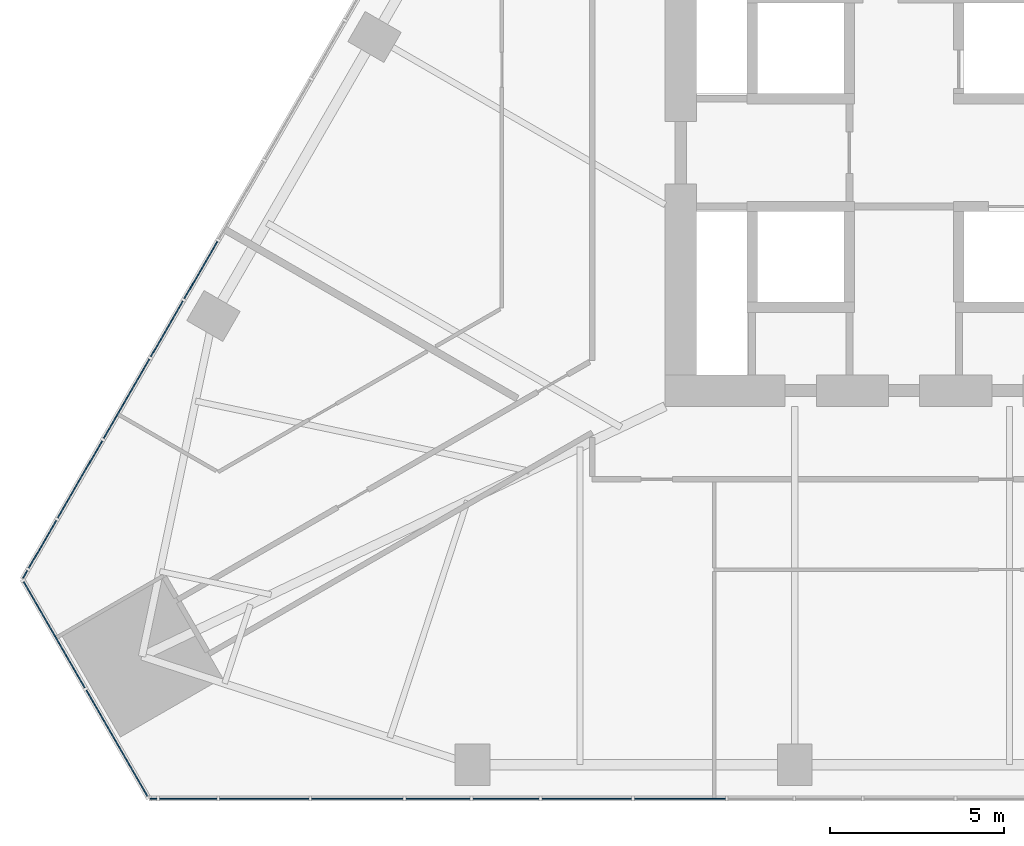
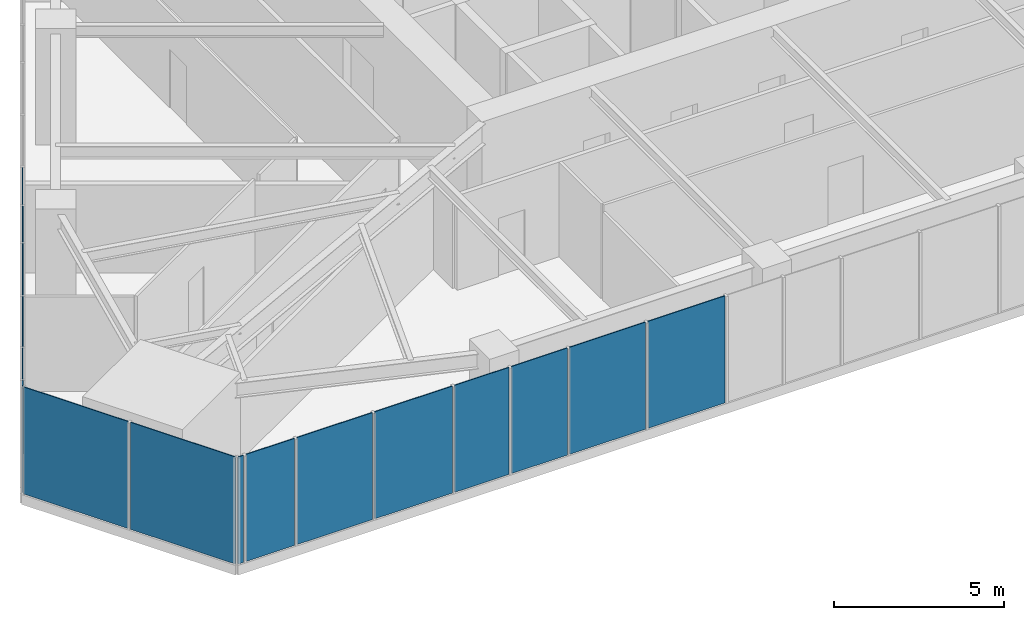
# One storey, part 11 of 22: 16 plates, 3 elements without a shape of their own.
"""IFC4 building model written with IfcOpenShell, lengths in metres."""

from ifc_helpers import new_model, si_unit, direction, frame, origin, place, context, subcontext, project, spatial, polyline, outline, extrude, material, layer, layer_set, type_object, element, aggregate, save


model = new_model("IFC4")

# Units and contexts
model_context = context("Model", 3, precision=1e-05, world=origin(), true_north=direction((0.0, 1.0)))
body_context = subcontext(model_context, "Body", "Model", "MODEL_VIEW")
ifc_project = project(units=[si_unit("LENGTHUNIT", "METRE"), si_unit("AREAUNIT", "SQUARE_METRE"), si_unit("VOLUMEUNIT", "CUBIC_METRE"), si_unit("PLANEANGLEUNIT", "RADIAN"), si_unit("MASSUNIT", "GRAM", prefix="KILO")], contexts=[model_context])

# Site, building, storey
site_placement = place(None, origin())
site = spatial("IfcSite", under=ifc_project, at=site_placement, CompositionType="ELEMENT")
building_placement = place(site_placement, origin())
building = spatial("IfcBuilding", under=site, at=building_placement, Name="Firuza Gate Tower and Library", CompositionType="ELEMENT")
storey_placement = place(building_placement, frame((0.0, 0.0, 128.199951171875)))
storey = spatial("IfcBuildingStorey", under=building, at=storey_placement, Name="L29", CompositionType="ELEMENT", Elevation=128.199951171875)

# Curtain wall, plates
ifc_material_1 = material(Name="Aluminium 6063-T6", Category="aluminium")
ifc_layer_1 = layer(ifc_material_1, 0.14990234375)
ifc_layer_set_1 = layer_set([ifc_layer_1], Name="Corner curtain wall, chamfers")
curtain_wall_type_1 = type_object("IfcCurtainWallType", Name="Corner curtain wall, chamfers", PredefinedType="NOTDEFINED", material=ifc_layer_set_1)
placement = place(storey_placement, origin())
curtain_wall_1 = element("IfcCurtainWall", 1, at=placement, inside=storey, type_object=curtain_wall_type_1, Name="CW4 L29 SW corner", PredefinedType="NOTDEFINED")
ifc_material_2 = material(Name="Fritted glass", Category="glass")
ifc_layer_2 = layer(ifc_material_2, 0.030029296875)
ifc_layer_set_2 = layer_set([ifc_layer_2], Name="Fritted glass unit, corners")
plate_type_1 = type_object("IfcPlateType", Name="Fritted glass unit, corners", PredefinedType="CURTAIN_PANEL", material=ifc_layer_set_2)
plate_1_placement = place(storey_placement, frame((43.503662109375, 60.976318359375, 0.150146484375), z_axis=(-0.866046390552, -0.49996364809, 0.0), x_axis=(0.49996364809, -0.866046390552, 0.0)))
plate_1 = element("IfcPlate", 2, at=plate_1_placement, type_object=plate_type_1, Name="Glass unit", PredefinedType="CURTAIN_PANEL", context=body_context, shape_type="SweptSolid", body=[
    extrude(outline(polyline([(0.0, 0.0), (3.563247342942594, 0.0), (3.563247342942594, 3.849853515625), (0.0, 3.849853515625), (0.0, 0.0)])), origin(), (0.0, 0.0, -1.0), 0.030029296875),
])
plate_2_placement = place(storey_placement, frame((45.3251953125, 57.821044921875, 0.150146484375), z_axis=(-0.866016723041, -0.500015035186, 0.0), x_axis=(0.500015035186, -0.866016723041, 0.0)))
plate_2 = element("IfcPlate", 3, at=plate_2_placement, type_object=plate_type_1, Name="Glass unit", PredefinedType="CURTAIN_PANEL", context=body_context, shape_type="SweptSolid", body=[
    extrude(outline(polyline([(0.0, 0.0), (3.5633694106530625, 0.0), (3.5633694106530625, 3.849853515625), (0.0, 3.849853515625), (0.0, 0.0)])), origin(), (0.0, 0.0, -1.0), 0.030029296875),
])
aggregate(curtain_wall_1, [plate_1, plate_2])

ifc_material_3 = material(Name="Aluminium 6063-T6", Category="aluminium")
ifc_layer_3 = layer(ifc_material_3, 0.14990234375)
ifc_layer_set_3 = layer_set([ifc_layer_3], Name="Unitised curtain wall, offices")
curtain_wall_type_2 = type_object("IfcCurtainWallType", Name="Unitised curtain wall, offices", PredefinedType="NOTDEFINED", material=ifc_layer_set_3)
curtain_wall_2 = element("IfcCurtainWall", 4, at=placement, inside=storey, type_object=curtain_wall_type_2, Name="CW1 L29 S face", PredefinedType="NOTDEFINED")
ifc_material_4 = material(Name="Fritted glass", Category="glass")
ifc_layer_4 = layer(ifc_material_4, 0.030029296875)
ifc_layer_set_4 = layer_set([ifc_layer_4], Name="Fritted glass unit, offices")
plate_type_2 = type_object("IfcPlateType", Name="Fritted glass unit, offices", PredefinedType="CURTAIN_PANEL", material=ifc_layer_set_4)
plate_3_placement = place(storey_placement, frame((47.446044921875, 54.693115234375, 0.150146484375), z_axis=(0.0, -1.0, 0.0), x_axis=(1.0, 0.0, 0.0)))
plate_3 = element("IfcPlate", 5, at=plate_3_placement, type_object=plate_type_2, Name="Glass unit", PredefinedType="CURTAIN_PANEL", context=body_context, shape_type="SweptSolid", body=[
    extrude(outline(polyline([(0.0, 0.0), (1.653076171875, 0.0), (1.653076171875, 3.849853515625), (0.0, 3.849853515625), (0.0, 0.0)])), origin(), (0.0, 0.0, -1.0), 0.030029296875),
])
plate_4_placement = place(storey_placement, frame((54.539306640625, 54.693115234375, 0.150146484375), z_axis=(0.0, -1.0, 0.0), x_axis=(1.0, 0.0, 0.0)))
plate_4 = element("IfcPlate", 6, at=plate_4_placement, type_object=plate_type_2, Name="Glass unit", PredefinedType="CURTAIN_PANEL", context=body_context, shape_type="SweptSolid", body=[
    extrude(outline(polyline([(0.0, 0.0), (1.84716796875, 0.0), (1.84716796875, 3.849853515625), (0.0, 3.849853515625), (0.0, 0.0)])), origin(), (0.0, 0.0, -1.0), 0.030029296875),
])
plate_5_placement = place(storey_placement, frame((56.466552734375, 54.693115234375, 0.150146484375), z_axis=(0.0, -1.0, 0.0), x_axis=(1.0, 0.0, 0.0)))
plate_5 = element("IfcPlate", 7, at=plate_5_placement, type_object=plate_type_2, Name="Glass unit", PredefinedType="CURTAIN_PANEL", context=body_context, shape_type="SweptSolid", body=[
    extrude(outline(polyline([(0.0, 0.0), (1.905029296875, 0.0), (1.905029296875, 3.849853515625), (0.0, 3.849853515625), (0.0, 0.0)])), origin(), (0.0, 0.0, -1.0), 0.030029296875),
])

curtain_wall_3 = element("IfcCurtainWall", 8, at=placement, inside=storey, type_object=curtain_wall_type_2, Name="CW1 L29 W face", PredefinedType="NOTDEFINED")
plate_6_placement = place(storey_placement, frame((49.099365234375, 70.7529296875, 0.150146484375), z_axis=(-0.866066083458, 0.499929534118, 0.0), x_axis=(-0.499929534118, -0.866066083458, 0.0)))
plate_6 = element("IfcPlate", 9, at=plate_6_placement, type_object=plate_type_2, Name="Glass unit", PredefinedType="CURTAIN_PANEL", context=body_context, shape_type="SweptSolid", body=[
    extrude(outline(polyline([(0.0, 0.0), (1.9050536388194763, 0.0), (1.9050536388194763, 3.849853515625), (0.0, 3.849853515625), (0.0, 0.0)])), origin(), (0.0, 0.0, -1.0), 0.030029296875),
])
plate_7_placement = place(storey_placement, frame((48.10693359375, 69.03369140625, 0.150146484375), z_axis=(-0.866013897511, 0.50001992892, 0.0), x_axis=(-0.50001992892, -0.866013897511, 0.0)))
plate_7 = element("IfcPlate", 10, at=plate_7_placement, type_object=plate_type_2, Name="Glass unit", PredefinedType="CURTAIN_PANEL", context=body_context, shape_type="SweptSolid", body=[
    extrude(outline(polyline([(0.0, 0.0), (1.8470943475583188, 0.0), (1.8470943475583188, 3.849853515625), (0.0, 3.849853515625), (0.0, 0.0)])), origin(), (0.0, 0.0, -1.0), 0.030029296875),
])
plate_8_placement = place(storey_placement, frame((44.463134765625, 62.72265625, 0.150146484375), z_axis=(-0.866039654489, 0.499975316243, 0.0), x_axis=(-0.499975316243, -0.866039654489, 0.0)))
plate_8 = element("IfcPlate", 11, at=plate_8_placement, type_object=plate_type_2, Name="Glass unit", PredefinedType="CURTAIN_PANEL", context=body_context, shape_type="SweptSolid", body=[
    extrude(outline(polyline([(0.0, 0.0), (1.5879690190819586, 0.0), (1.5879690190819586, 3.849853515625), (0.0, 3.849853515625), (0.0, 0.0)])), origin(), (0.0, 0.0, -1.0), 0.030029296875),
])

# Plate
ifc_material_5 = material(Name="Glazed ceramic tile")
ifc_layer_5 = layer(ifc_material_5, 0.030029296875)
ifc_layer_set_5 = layer_set([ifc_layer_5], Name="Opaque ceramic panel, offices")
plate_type_3 = type_object("IfcPlateType", Name="Opaque ceramic panel, offices", PredefinedType="CURTAIN_PANEL", material=ifc_layer_set_5)
plate_9_placement = place(storey_placement, frame((47.179931640625, 54.693115234375, 0.150146484375), z_axis=(0.0, -1.0, 0.0), x_axis=(1.0, 0.0, 0.0)))
plate_9 = element("IfcPlate", 12, at=plate_9_placement, type_object=plate_type_3, Name="Opaque ceramic panel", PredefinedType="CURTAIN_PANEL", context=body_context, shape_type="SweptSolid", body=[
    extrude(outline(polyline([(0.0, 0.0), (0.18603515625, 0.0), (0.18603515625, 3.849853515625), (0.0, 3.849853515625), (0.0, 0.0)])), origin(), (0.0, 0.0, -1.0), 0.030029296875),
])

plate_10_placement = place(storey_placement, frame((49.17919921875, 54.693115234375, 0.150146484375), z_axis=(0.0, -1.0, 0.0), x_axis=(1.0, 0.0, 0.0)))
plate_10 = element("IfcPlate", 13, at=plate_10_placement, type_object=plate_type_3, Name="Opaque ceramic panel", PredefinedType="CURTAIN_PANEL", context=body_context, shape_type="SweptSolid", body=[
    extrude(outline(polyline([(0.0, 0.0), (2.56396484375, 0.0), (2.56396484375, 3.849853515625), (0.0, 3.849853515625), (0.0, 0.0)])), origin(), (0.0, 0.0, -1.0), 0.030029296875),
])

plate_11_placement = place(storey_placement, frame((51.8232421875, 54.693115234375, 0.150146484375), z_axis=(0.0, -1.0, 0.0), x_axis=(1.0, 0.0, 0.0)))
plate_11 = element("IfcPlate", 14, at=plate_11_placement, type_object=plate_type_3, Name="Opaque ceramic panel", PredefinedType="CURTAIN_PANEL", context=body_context, shape_type="SweptSolid", body=[
    extrude(outline(polyline([(0.0, 0.0), (2.635986328125, 0.0), (2.635986328125, 3.849853515625), (0.0, 3.849853515625), (0.0, 0.0)])), origin(), (0.0, 0.0, -1.0), 0.030029296875),
])

plate_12_placement = place(storey_placement, frame((58.451416015625, 54.693115234375, 0.150146484375), z_axis=(0.0, -1.0, 0.0), x_axis=(1.0, 0.0, 0.0)))
plate_12 = element("IfcPlate", 15, at=plate_12_placement, type_object=plate_type_3, Name="Opaque ceramic panel", PredefinedType="CURTAIN_PANEL", context=body_context, shape_type="SweptSolid", body=[
    extrude(outline(polyline([(0.0, 0.0), (2.57861328125, 0.0), (2.57861328125, 3.849853515625), (0.0, 3.849853515625), (0.0, 0.0)])), origin(), (0.0, 0.0, -1.0), 0.030029296875),
])

plate_13_placement = place(storey_placement, frame((61.10986328125, 54.693115234375, 0.150146484375), z_axis=(0.0, -1.0, 0.0), x_axis=(1.0, 0.0, 0.0)))
plate_13 = element("IfcPlate", 16, at=plate_13_placement, type_object=plate_type_3, Name="Opaque ceramic panel", PredefinedType="CURTAIN_PANEL", context=body_context, shape_type="SweptSolid", body=[
    extrude(outline(polyline([(0.0, 0.0), (2.621826171875, 0.0), (2.621826171875, 3.849853515625), (0.0, 3.849853515625), (0.0, 0.0)])), origin(), (0.0, 0.0, -1.0), 0.030029296875),
])

aggregate(curtain_wall_2, [plate_9, plate_3, plate_10, plate_11, plate_4, plate_5, plate_12, plate_13])

plate_14_placement = place(storey_placement, frame((47.143310546875, 67.36474609375, 0.150146484375), z_axis=(-0.866017478146, 0.500013727357, 0.0), x_axis=(-0.500013727357, -0.866017478146, 0.0)))
plate_14 = element("IfcPlate", 17, at=plate_14_placement, type_object=plate_type_3, Name="Opaque ceramic panel", PredefinedType="CURTAIN_PANEL", context=body_context, shape_type="SweptSolid", body=[
    extrude(outline(polyline([(0.0, 0.0), (2.636158093785347, 0.0), (2.636158093785347, 3.849853515625), (0.0, 3.849853515625), (0.0, 0.0)])), origin(), (0.0, 0.0, -1.0), 0.030029296875),
])

plate_15_placement = place(storey_placement, frame((45.78515625, 65.012451171875, 0.150146484375), z_axis=(-0.866025432576, 0.499999950132, 0.0), x_axis=(-0.499999950132, -0.866025432576, 0.0)))
plate_15 = element("IfcPlate", 18, at=plate_15_placement, type_object=plate_type_3, Name="Opaque ceramic panel", PredefinedType="CURTAIN_PANEL", context=body_context, shape_type="SweptSolid", body=[
    extrude(outline(polyline([(0.0, 0.0), (2.5639650994676484, 0.0), (2.5639650994676484, 3.849853515625001), (0.0, 3.849853515625001), (0.0, 0.0)])), origin(), (0.0, 0.0, -1.0), 0.030029296875),
])

plate_16_placement = place(storey_placement, frame((43.629150390625, 61.278076171875, 0.150146484375), z_axis=(-0.866201770413, 0.499694399542, 0.0), x_axis=(-0.499694399542, -0.866201770413, 0.0)))
plate_16 = element("IfcPlate", 19, at=plate_16_placement, type_object=plate_type_3, Name="Opaque ceramic panel", PredefinedType="CURTAIN_PANEL", context=body_context, shape_type="SweptSolid", body=[
    extrude(outline(polyline([(0.0, 0.0), (0.25113005341856437, 0.0), (0.25113005341856437, 3.849853515625), (0.0, 3.849853515625), (0.0, 0.0)])), origin(), (0.0, 0.0, -1.0), 0.030029296875),
])

aggregate(curtain_wall_3, [plate_6, plate_7, plate_14, plate_15, plate_8, plate_16])

save(model, "model.ifc")
